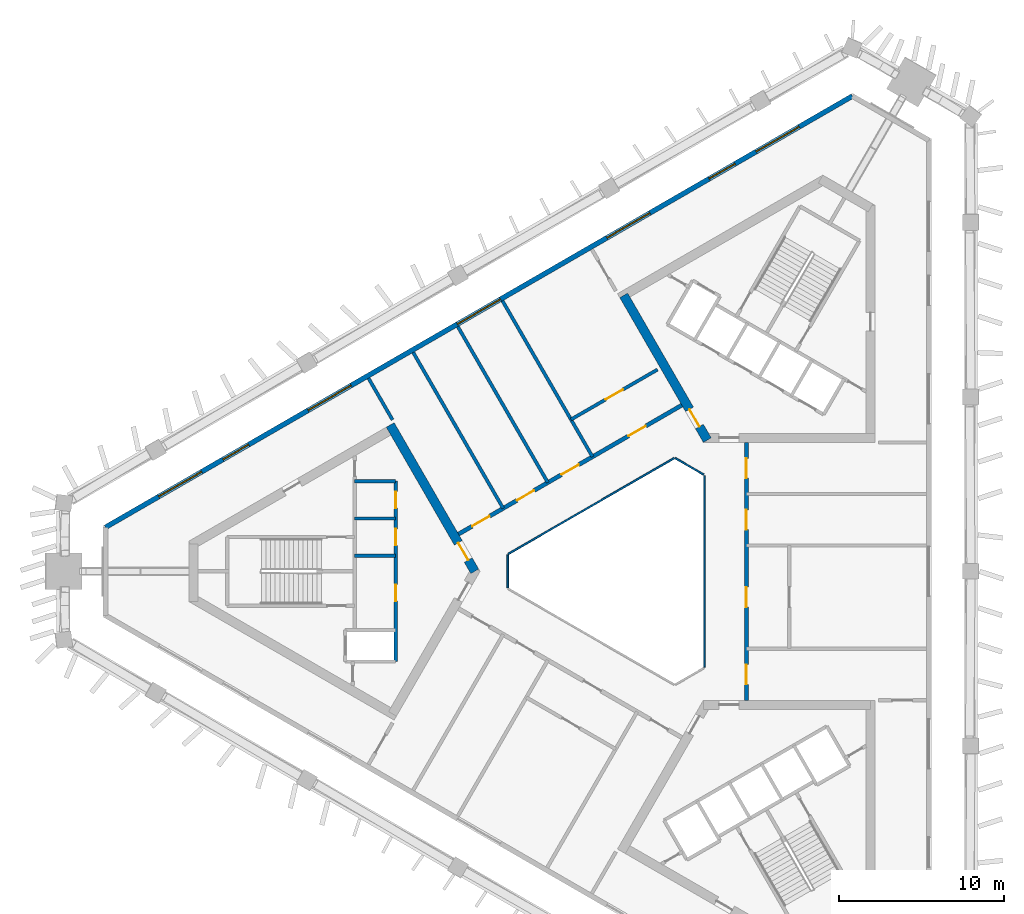
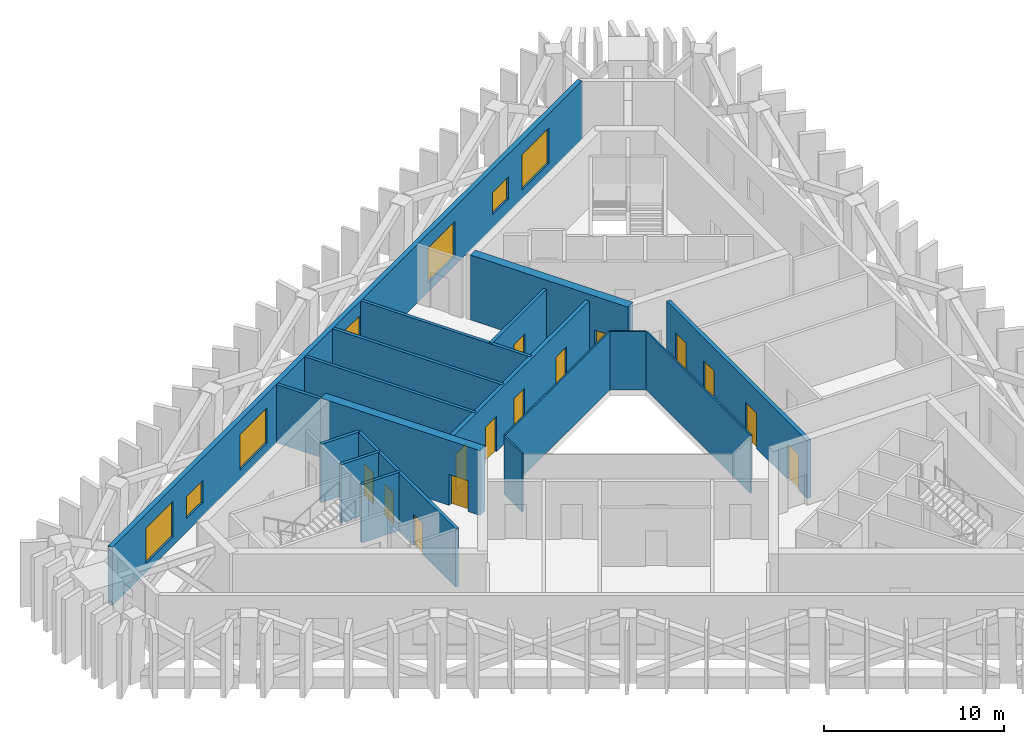
# One storey, part 5 of 9: 18 walls, 14 doors, 7 windows, 21 openings.
"""IFC4 building model written with IfcOpenShell, lengths in metres."""

from ifc_helpers import new_model, si_unit, direction, frame, frame_2d, origin, place, context, subcontext, project, spatial, rectangle, extrude, material, layer, layer_set, type_object, element, fill, save


model = new_model("IFC4")

# Units and contexts
model_context = context("Model", 3, precision=1e-05, world=origin(), true_north=direction((0.0, 1.0)))
body_context = subcontext(model_context, "Body", "Model", "MODEL_VIEW")
ifc_project = project(units=[si_unit("LENGTHUNIT", "METRE"), si_unit("AREAUNIT", "SQUARE_METRE"), si_unit("VOLUMEUNIT", "CUBIC_METRE"), si_unit("PLANEANGLEUNIT", "RADIAN"), si_unit("MASSUNIT", "GRAM", prefix="KILO")], contexts=[model_context])

# Site, building, storey
site_placement = place(None, origin())
site = spatial("IfcSite", under=ifc_project, at=site_placement, CompositionType="ELEMENT")
building_placement = place(site_placement, origin())
building = spatial("IfcBuilding", under=site, at=building_placement, Name="Jabali Bay Hotel Tower and Convention Centre", CompositionType="ELEMENT")
storey_placement = place(building_placement, frame((0.0, 0.0, 197.0)))
storey = spatial("IfcBuildingStorey", under=building, at=storey_placement, Name="L48", CompositionType="ELEMENT", Elevation=197.0)

# Walls
ifc_material_1 = material(Name="Fire-resistant glazing", Category="glass")
ifc_layer_1 = layer(ifc_material_1, 0.10009765625)
ifc_layer_set_1 = layer_set([ifc_layer_1], Name="Fire-resistant glazing")
wall_type_1 = type_object("IfcWallType", Name="Atrium glazed screen 100", PredefinedType="PARTITIONING", material=ifc_layer_set_1)
wall_1_placement = place(storey_placement, frame((79.56005859375, 74.205810546875, 0.0), z_axis=(0.0, 0.0, 1.0), x_axis=(0.0, 1.0, 0.0)))
element("IfcWall", 1, at=wall_1_placement, inside=storey, type_object=wall_type_1, Name="Atrium screen 1 L48", PredefinedType="PARTITIONING", context=body_context, shape_type="SweptSolid", body=[
    extrude(rectangle(XDim=11.58837890625, YDim=0.10009765625, at=frame_2d((5.794189453125, 0.0))), origin(), (0.0, 0.0, 1.0), 3.949951171875),
])
wall_2_placement = place(storey_placement, frame((79.530029296875, 85.84619140625, 0.0), z_axis=(0.0, 0.0, 1.0), x_axis=(-0.866041268327, 0.499972520799, 0.0)))
element("IfcWall", 2, at=wall_2_placement, inside=storey, type_object=wall_type_1, Name="Atrium screen 2 L48", PredefinedType="PARTITIONING", context=body_context, shape_type="SweptSolid", body=[
    extrude(rectangle(XDim=2.0, YDim=0.10009765625, at=frame_2d((1.0, 0.0))), origin(), (0.0, 0.0, 1.0), 3.949951171875),
])
wall_3_placement = place(storey_placement, frame((77.738037109375, 86.84619140625, 0.0), z_axis=(0.0, 0.0, 1.0), x_axis=(-0.866026658274, -0.499997827154, 0.0)))
element("IfcWall", 3, at=wall_3_placement, inside=storey, type_object=wall_type_1, Name="Atrium screen 3 L48", PredefinedType="PARTITIONING", context=body_context, shape_type="SweptSolid", body=[
    extrude(rectangle(XDim=11.58837890625, YDim=0.10009765625, at=frame_2d((5.794189453125, 0.0))), origin(), (0.0, 0.0, 1.0), 3.949951171875),
])
wall_4_placement = place(storey_placement, frame((67.672119140625, 81.0, 0.0), z_axis=(0.0, 0.0, 1.0), x_axis=(0.0, -1.0, 0.0)))
element("IfcWall", 4, at=wall_4_placement, inside=storey, type_object=wall_type_1, Name="Atrium screen 4 L48", PredefinedType="PARTITIONING", context=body_context, shape_type="SweptSolid", body=[
    extrude(rectangle(XDim=2.0, YDim=0.10009765625, at=frame_2d((1.0, 0.0))), origin(), (0.0, 0.0, 1.0), 3.949951171875),
])
ifc_material_2 = material(Name="Concrete C40", Category="concrete")
ifc_layer_2 = layer(ifc_material_2, 0.199951171875)
ifc_layer_set_2 = layer_set([ifc_layer_2], Name="Concrete C40")
wall_type_2 = type_object("IfcWallType", Name="Core stair wall 200", PredefinedType="SOLIDWALL", material=ifc_layer_set_2)
for number, where, z_axis, x_axis, name in (
    (5, (60.89990234375, 85.449951171875, 0.0), (0.0, 0.0, 1.0), (-1.0, 0.0, 0.0), "Core wall 0.0 L48"),
    (6, (60.89990234375, 83.199951171875, 0.0), (0.0, 0.0, 1.0), (-1.0, 0.0, 0.0), "Core wall 0.1 L48"),
    (7, (60.89990234375, 80.949951171875, 0.0), (0.0, 0.0, 1.0), (-1.0, 0.0, 0.0), "Core wall 0.3 L48"),
):
    element("IfcWall", number, at=place(storey_placement, frame(where, z_axis=z_axis, x_axis=x_axis)), inside=storey, type_object=wall_type_2, Name=name, PredefinedType="SOLIDWALL", context=body_context, shape_type="SweptSolid", body=[
        extrude(rectangle(XDim=2.47998046875, YDim=0.199951171875, at=frame_2d((1.239990234375, 0.0))), origin(), (0.0, 0.0, 1.0), 3.949951171875),
    ])

# Wall, openings, doors
wall_5_placement = place(storey_placement, frame((60.89990234375, 85.449951171875, 0.0), z_axis=(0.0, 0.0, 1.0), x_axis=(0.0, -1.0, 0.0)))
wall_5 = element("IfcWall", 8, at=wall_5_placement, inside=storey, type_object=wall_type_2, Name="Core wall 0.9 L48", PredefinedType="SOLIDWALL", context=body_context, shape_type="SweptSolid", body=[
    extrude(rectangle(XDim=10.89990234375, YDim=0.199951171875, at=frame_2d((5.449951171875, 0.0))), origin(), (0.0, 0.0, 1.0), 3.949951171875),
])
opening_1_placement = place(wall_5_placement, frame((0.625, 0.0, 0.0)))
opening_1 = element("IfcOpeningElement", 9, at=opening_1_placement, cuts=wall_5, Name="Opening D1030", PredefinedType="OPENING", context=body_context, shape_type="SweptSolid", body=[
    extrude(rectangle(XDim=1.0, YDim=2.10009765625, at=frame_2d((0.5, 1.050048828125))), frame((0.0, 0.1103515625, 0.0), z_axis=(0.0, -1.0, 0.0), x_axis=(1.0, 0.0, 0.0)), (0.0, 0.0, 1.0), 0.220947265625),
])
opening_2_placement = place(wall_5_placement, frame((2.875, 0.0, 0.0)))
opening_2 = element("IfcOpeningElement", 10, at=opening_2_placement, cuts=wall_5, Name="Opening D1031", PredefinedType="OPENING", context=body_context, shape_type="SweptSolid", body=[
    extrude(rectangle(XDim=1.0, YDim=2.10009765625, at=frame_2d((0.5, 1.050048828125))), frame((0.0, 0.1103515625, 0.0), z_axis=(0.0, -1.0, 0.0), x_axis=(1.0, 0.0, 0.0)), (0.0, 0.0, 1.0), 0.220947265625),
])
opening_3_placement = place(wall_5_placement, frame((6.25, 0.0, 0.0)))
opening_3 = element("IfcOpeningElement", 11, at=opening_3_placement, cuts=wall_5, Name="Opening D1032", PredefinedType="OPENING", context=body_context, shape_type="SweptSolid", body=[
    extrude(rectangle(XDim=1.0, YDim=2.10009765625, at=frame_2d((0.5, 1.050048828125))), frame((0.0, 0.1103515625, 0.0), z_axis=(0.0, -1.0, 0.0), x_axis=(1.0, 0.0, 0.0)), (0.0, 0.0, 1.0), 0.220947265625),
])
ifc_material_3 = material(Name="Fire-rated steel door", Category="steel")
door_type_1 = type_object("IfcDoorType", Name="Core room door 1000 x 2100", OperationType="NOTDEFINED", PredefinedType="NOTDEFINED", material=ifc_material_3)
door_1_placement = place(opening_1_placement, origin())
door_1 = element("IfcDoor", 12, at=door_1_placement, inside=storey, type_object=door_type_1, Name="Core room door D1030", OperationType="SINGLE_SWING_RIGHT", OverallHeight=2.10009765625, OverallWidth=1.0, PredefinedType="NOTDEFINED", context=body_context, shape_type="SweptSolid", body=[
    extrude(rectangle(XDim=1.0, YDim=2.10009765625, at=frame_2d((0.5, 1.050048828125))), frame((0.0, 0.02490234375, 0.0), z_axis=(0.0, -1.0, 0.0), x_axis=(1.0, 0.0, 0.0)), (0.0, 0.0, 1.0), 0.050048828125),
])
fill(opening_1, door_1)
door_2_placement = place(opening_2_placement, origin())
door_2 = element("IfcDoor", 13, at=door_2_placement, inside=storey, type_object=door_type_1, Name="Core room door D1031", OperationType="SINGLE_SWING_RIGHT", OverallHeight=2.10009765625, OverallWidth=1.0, PredefinedType="NOTDEFINED", context=body_context, shape_type="SweptSolid", body=[
    extrude(rectangle(XDim=1.0, YDim=2.10009765625, at=frame_2d((0.5, 1.050048828125))), frame((0.0, 0.02490234375, 0.0), z_axis=(0.0, -1.0, 0.0), x_axis=(1.0, 0.0, 0.0)), (0.0, 0.0, 1.0), 0.050048828125),
])
fill(opening_2, door_2)
door_3_placement = place(opening_3_placement, origin())
door_3 = element("IfcDoor", 14, at=door_3_placement, inside=storey, type_object=door_type_1, Name="Core room door D1032", OperationType="SINGLE_SWING_RIGHT", OverallHeight=2.10009765625, OverallWidth=1.0, PredefinedType="NOTDEFINED", context=body_context, shape_type="SweptSolid", body=[
    extrude(rectangle(XDim=1.0, YDim=2.10009765625, at=frame_2d((0.5, 1.050048828125))), frame((0.0, 0.02490234375, 0.0), z_axis=(0.0, -1.0, 0.0), x_axis=(1.0, 0.0, 0.0)), (0.0, 0.0, 1.0), 0.050048828125),
])
fill(opening_3, door_3)

# Wall, opening, door
ifc_material_4 = material(Name="Concrete C60", Category="concrete")
ifc_layer_3 = layer(ifc_material_4, 0.550048828125)
ifc_layer_set_3 = layer_set([ifc_layer_3], Name="Concrete C60")
wall_type_3 = type_object("IfcWallType", Name="Core wall 550", PredefinedType="SHEAR", material=ifc_layer_set_3)
wall_6_placement = place(storey_placement, frame((65.682373046875, 80.0, 0.0), z_axis=(0.0, 0.0, 1.0), x_axis=(-0.500000202252, 0.866025287014, 0.0)))
wall_6 = element("IfcWall", 15, at=wall_6_placement, inside=storey, type_object=wall_type_3, Name="Core wall 1.1 L48", PredefinedType="SHEAR", context=body_context, shape_type="SweptSolid", body=[
    extrude(rectangle(XDim=10.22119140625, YDim=0.550048828125, at=frame_2d((5.110595703125, 0.0))), origin(), (0.0, 0.0, 1.0), 4.39990234375),
])
opening_4_placement = place(wall_6_placement, frame((0.791259765625, 0.0, 0.0)))
opening_4 = element("IfcOpeningElement", 16, at=opening_4_placement, cuts=wall_6, Name="Opening D1028", PredefinedType="OPENING", context=body_context, shape_type="SweptSolid", body=[
    extrude(rectangle(XDim=1.199951171875, YDim=2.10009765625, at=frame_2d((0.60009765625, 1.050048828125))), frame((0.0, 0.28564453125, 0.0), z_axis=(0.0, -1.0, 0.0), x_axis=(1.0, 0.0, 0.0)), (0.0, 0.0, 1.0), 0.571044921875),
])
door_type_2 = type_object("IfcDoorType", Name="Corridor end fire door 1200 x 2100", OperationType="NOTDEFINED", PredefinedType="NOTDEFINED", material=ifc_material_3)
door_4_placement = place(opening_4_placement, origin())
door_4 = element("IfcDoor", 17, at=door_4_placement, inside=storey, type_object=door_type_2, Name="Corridor end fire door D1028", OperationType="SINGLE_SWING_RIGHT", OverallHeight=2.10009765625, OverallWidth=1.199951171875, PredefinedType="NOTDEFINED", context=body_context, shape_type="SweptSolid", body=[
    extrude(rectangle(XDim=1.199951171875, YDim=2.10009765625, at=frame_2d((0.60009765625, 1.050048828125))), frame((0.0, 0.02490234375, 0.0), z_axis=(0.0, -1.0, 0.0), x_axis=(1.0, 0.0, 0.0)), (0.0, 0.0, 1.0), 0.050048828125),
])
fill(opening_4, door_4)

wall_7_placement = place(storey_placement, frame((74.685546875, 96.682861328125, 0.0), z_axis=(0.0, 0.0, 1.0), x_axis=(0.499997818338, -0.866026663364, 0.0)))
wall_7 = element("IfcWall", 18, at=wall_7_placement, inside=storey, type_object=wall_type_3, Name="Core wall 2.5 L48", PredefinedType="SHEAR", context=body_context, shape_type="SweptSolid", body=[
    extrude(rectangle(XDim=10.10498046875, YDim=0.550048828125, at=frame_2d((5.052490234375, 0.0))), origin(), (0.0, 0.0, 1.0), 4.39990234375),
])
opening_5_placement = place(wall_7_placement, frame((7.955078125, 0.0, 0.0)))
opening_5 = element("IfcOpeningElement", 19, at=opening_5_placement, cuts=wall_7, Name="Opening D1039", PredefinedType="OPENING", context=body_context, shape_type="SweptSolid", body=[
    extrude(rectangle(XDim=1.199951171875, YDim=2.10009765625, at=frame_2d((0.60009765625, 1.050048828125))), frame((0.0, 0.28564453125, 0.0), z_axis=(0.0, -1.0, 0.0), x_axis=(1.0, 0.0, 0.0)), (0.0, 0.0, 1.0), 0.571044921875),
])
door_5_placement = place(opening_5_placement, origin())
door_5 = element("IfcDoor", 20, at=door_5_placement, inside=storey, type_object=door_type_2, Name="Corridor end fire door D1039", OperationType="SINGLE_SWING_LEFT", OverallHeight=2.10009765625, OverallWidth=1.199951171875, PredefinedType="NOTDEFINED", context=body_context, shape_type="SweptSolid", body=[
    extrude(rectangle(XDim=1.199951171875, YDim=2.10009765625, at=frame_2d((0.60009765625, 1.050048828125))), frame((0.0, 0.02490234375, 0.0), z_axis=(0.0, -1.0, 0.0), x_axis=(1.0, 0.0, 0.0)), (0.0, 0.0, 1.0), 0.050048828125),
])
fill(opening_5, door_5)

# Wall, openings, doors
ifc_layer_4 = layer(ifc_material_4, 0.25)
ifc_layer_set_4 = layer_set([ifc_layer_4], Name="Concrete C60")
wall_type_4 = type_object("IfcWallType", Name="Corridor wall 250", PredefinedType="SHEAR", material=ifc_layer_set_4)
wall_8_placement = place(storey_placement, frame((82.10009765625, 72.205810546875, 0.0), z_axis=(0.0, 0.0, 1.0), x_axis=(0.0, 1.0, 0.0)))
wall_8 = element("IfcWall", 21, at=wall_8_placement, inside=storey, type_object=wall_type_4, Name="Corridor wall 1 L48", PredefinedType="SHEAR", context=body_context, shape_type="SweptSolid", body=[
    extrude(rectangle(XDim=15.58837890625, YDim=0.25, at=frame_2d((7.794189453125, 0.0))), origin(), (0.0, 0.0, 1.0), 3.949951171875),
])
opening_6_placement = place(wall_8_placement, frame((0.958740234375, 0.0, 0.0)))
opening_6 = element("IfcOpeningElement", 22, at=opening_6_placement, cuts=wall_8, Name="Opening 4801", PredefinedType="OPENING", context=body_context, shape_type="SweptSolid", body=[
    extrude(rectangle(XDim=1.199951171875, YDim=2.39990234375, at=frame_2d((0.60009765625, 1.199951171875))), frame((0.0, 0.135498046875, 0.0), z_axis=(0.0, -1.0, 0.0), x_axis=(1.0, 0.0, 0.0)), (0.0, 0.0, 1.0), 0.27099609375),
])
opening_7_placement = place(wall_8_placement, frame((5.635498046875, 0.0, 0.0)))
opening_7 = element("IfcOpeningElement", 23, at=opening_7_placement, cuts=wall_8, Name="Opening 4802", PredefinedType="OPENING", context=body_context, shape_type="SweptSolid", body=[
    extrude(rectangle(XDim=1.199951171875, YDim=2.39990234375, at=frame_2d((0.60009765625, 1.199951171875))), frame((0.0, 0.135498046875, 0.0), z_axis=(0.0, -1.0, 0.0), x_axis=(1.0, 0.0, 0.0)), (0.0, 0.0, 1.0), 0.27099609375),
])
opening_8_placement = place(wall_8_placement, frame((10.31201171875, 0.0, 0.0)))
opening_8 = element("IfcOpeningElement", 24, at=opening_8_placement, cuts=wall_8, Name="Opening 4804", PredefinedType="OPENING", context=body_context, shape_type="SweptSolid", body=[
    extrude(rectangle(XDim=1.199951171875, YDim=2.39990234375, at=frame_2d((0.60009765625, 1.199951171875))), frame((0.0, 0.135498046875, 0.0), z_axis=(0.0, -1.0, 0.0), x_axis=(1.0, 0.0, 0.0)), (0.0, 0.0, 1.0), 0.27099609375),
])
opening_9_placement = place(wall_8_placement, frame((13.4296875, 0.0, 0.0)))
opening_9 = element("IfcOpeningElement", 25, at=opening_9_placement, cuts=wall_8, Name="Opening 4805", PredefinedType="OPENING", context=body_context, shape_type="SweptSolid", body=[
    extrude(rectangle(XDim=1.199951171875, YDim=2.39990234375, at=frame_2d((0.60009765625, 1.199951171875))), frame((0.0, 0.135498046875, 0.0), z_axis=(0.0, -1.0, 0.0), x_axis=(1.0, 0.0, 0.0)), (0.0, 0.0, 1.0), 0.27099609375),
])
ifc_material_5 = material(Name="Steel Q355B", Category="steel")
door_type_3 = type_object("IfcDoorType", Name="Plant room door 1200 x 2400", OperationType="NOTDEFINED", PredefinedType="NOTDEFINED", material=ifc_material_5)
door_6_placement = place(opening_6_placement, origin())
door_6 = element("IfcDoor", 26, at=door_6_placement, inside=storey, type_object=door_type_3, Name="Door 4801", OperationType="SINGLE_SWING_LEFT", OverallHeight=2.39990234375, OverallWidth=1.199951171875, PredefinedType="NOTDEFINED", context=body_context, shape_type="SweptSolid", body=[
    extrude(rectangle(XDim=1.199951171875, YDim=2.39990234375, at=frame_2d((0.60009765625, 1.199951171875))), frame((0.0, 0.02490234375, 0.0), z_axis=(0.0, -1.0, 0.0), x_axis=(1.0, 0.0, 0.0)), (0.0, 0.0, 1.0), 0.050048828125),
])
fill(opening_6, door_6)
door_7_placement = place(opening_8_placement, origin())
door_7 = element("IfcDoor", 27, at=door_7_placement, inside=storey, type_object=door_type_3, Name="Door 4804", OperationType="SINGLE_SWING_RIGHT", OverallHeight=2.39990234375, OverallWidth=1.199951171875, PredefinedType="NOTDEFINED", context=body_context, shape_type="SweptSolid", body=[
    extrude(rectangle(XDim=1.199951171875, YDim=2.39990234375, at=frame_2d((0.60009765625, 1.199951171875))), frame((0.0, 0.02490234375, 0.0), z_axis=(0.0, -1.0, 0.0), x_axis=(1.0, 0.0, 0.0)), (0.0, 0.0, 1.0), 0.050048828125),
])
fill(opening_8, door_7)
door_8_placement = place(opening_9_placement, origin())
door_8 = element("IfcDoor", 28, at=door_8_placement, inside=storey, type_object=door_type_3, Name="Door 4805", OperationType="SINGLE_SWING_RIGHT", OverallHeight=2.39990234375, OverallWidth=1.199951171875, PredefinedType="NOTDEFINED", context=body_context, shape_type="SweptSolid", body=[
    extrude(rectangle(XDim=1.199951171875, YDim=2.39990234375, at=frame_2d((0.60009765625, 1.199951171875))), frame((0.0, 0.02490234375, 0.0), z_axis=(0.0, -1.0, 0.0), x_axis=(1.0, 0.0, 0.0)), (0.0, 0.0, 1.0), 0.050048828125),
])
fill(opening_9, door_8)
door_type_4 = type_object("IfcDoorType", Name="Refuge hall door 1200 x 2400", OperationType="NOTDEFINED", PredefinedType="NOTDEFINED", material=ifc_material_5)
door_9_placement = place(opening_7_placement, origin())
door_9 = element("IfcDoor", 29, at=door_9_placement, inside=storey, type_object=door_type_4, Name="Door 4802", OperationType="SINGLE_SWING_LEFT", OverallHeight=2.39990234375, OverallWidth=1.199951171875, PredefinedType="NOTDEFINED", context=body_context, shape_type="SweptSolid", body=[
    extrude(rectangle(XDim=1.199951171875, YDim=2.39990234375, at=frame_2d((0.60009765625, 1.199951171875))), frame((0.0, 0.02490234375, 0.0), z_axis=(0.0, -1.0, 0.0), x_axis=(1.0, 0.0, 0.0)), (0.0, 0.0, 1.0), 0.050048828125),
])
fill(opening_7, door_9)

wall_9_placement = place(storey_placement, frame((78.199951171875, 90.0458984375, 0.0), z_axis=(0.0, 0.0, 1.0), x_axis=(-0.866026492143, -0.499998114903, 0.0)))
wall_9 = element("IfcWall", 30, at=wall_9_placement, inside=storey, type_object=wall_type_4, Name="Corridor wall 2 L48", PredefinedType="SHEAR", context=body_context, shape_type="SweptSolid", body=[
    extrude(rectangle(XDim=15.58837890625, YDim=0.25, at=frame_2d((7.794189453125, 0.0))), origin(), (0.0, 0.0, 1.0), 3.949951171875),
])
opening_10_placement = place(wall_9_placement, frame((2.517578125, 0.0, 0.0)))
opening_10 = element("IfcOpeningElement", 31, at=opening_10_placement, cuts=wall_9, Name="Opening 4806", PredefinedType="OPENING", context=body_context, shape_type="SweptSolid", body=[
    extrude(rectangle(XDim=1.199951171875, YDim=2.39990234375, at=frame_2d((0.60009765625, 1.199951171875))), frame((0.0, 0.135498046875, 0.0), z_axis=(0.0, -1.0, 0.0), x_axis=(1.0, 0.0, 0.0)), (0.0, 0.0, 1.0), 0.27099609375),
])
opening_11_placement = place(wall_9_placement, frame((7.194091796875, 0.0, 0.0)))
opening_11 = element("IfcOpeningElement", 32, at=opening_11_placement, cuts=wall_9, Name="Opening 4808", PredefinedType="OPENING", context=body_context, shape_type="SweptSolid", body=[
    extrude(rectangle(XDim=1.199951171875, YDim=2.39990234375, at=frame_2d((0.60009765625, 1.199951171875))), frame((0.0, 0.135498046875, 0.0), z_axis=(0.0, -1.0, 0.0), x_axis=(1.0, 0.0, 0.0)), (0.0, 0.0, 1.0), 0.27099609375),
])
opening_12_placement = place(wall_9_placement, frame((10.31201171875, 0.0, 0.0)))
opening_12 = element("IfcOpeningElement", 33, at=opening_12_placement, cuts=wall_9, Name="Opening 4809", PredefinedType="OPENING", context=body_context, shape_type="SweptSolid", body=[
    extrude(rectangle(XDim=1.199951171875, YDim=2.39990234375, at=frame_2d((0.60009765625, 1.199951171875))), frame((0.0, 0.135498046875, 0.0), z_axis=(0.0, -1.0, 0.0), x_axis=(1.0, 0.0, 0.0)), (0.0, 0.0, 1.0), 0.27099609375),
])
opening_13_placement = place(wall_9_placement, frame((13.4296875, 0.0, 0.0)))
opening_13 = element("IfcOpeningElement", 34, at=opening_13_placement, cuts=wall_9, Name="Opening 4810", PredefinedType="OPENING", context=body_context, shape_type="SweptSolid", body=[
    extrude(rectangle(XDim=1.199951171875, YDim=2.39990234375, at=frame_2d((0.60009765625, 1.199951171875))), frame((0.0, 0.135498046875, 0.0), z_axis=(0.0, -1.0, 0.0), x_axis=(1.0, 0.0, 0.0)), (0.0, 0.0, 1.0), 0.27099609375),
])
door_10_placement = place(opening_11_placement, origin())
door_10 = element("IfcDoor", 35, at=door_10_placement, inside=storey, type_object=door_type_3, Name="Door 4808", OperationType="SINGLE_SWING_RIGHT", OverallHeight=2.39990234375, OverallWidth=1.199951171875, PredefinedType="NOTDEFINED", context=body_context, shape_type="SweptSolid", body=[
    extrude(rectangle(XDim=1.199951171875, YDim=2.39990234375, at=frame_2d((0.60009765625, 1.199951171875))), frame((0.0, 0.02490234375, 0.0), z_axis=(0.0, -1.0, 0.0), x_axis=(1.0, 0.0, 0.0)), (0.0, 0.0, 1.0), 0.050048828125),
])
fill(opening_11, door_10)
door_11_placement = place(opening_12_placement, origin())
door_11 = element("IfcDoor", 36, at=door_11_placement, inside=storey, type_object=door_type_3, Name="Door 4809", OperationType="SINGLE_SWING_RIGHT", OverallHeight=2.39990234375, OverallWidth=1.199951171875, PredefinedType="NOTDEFINED", context=body_context, shape_type="SweptSolid", body=[
    extrude(rectangle(XDim=1.199951171875, YDim=2.39990234375, at=frame_2d((0.60009765625, 1.199951171875))), frame((0.0, 0.02490234375, 0.0), z_axis=(0.0, -1.0, 0.0), x_axis=(1.0, 0.0, 0.0)), (0.0, 0.0, 1.0), 0.050048828125),
])
fill(opening_12, door_11)
door_12_placement = place(opening_13_placement, origin())
door_12 = element("IfcDoor", 37, at=door_12_placement, inside=storey, type_object=door_type_3, Name="Door 4810", OperationType="SINGLE_SWING_RIGHT", OverallHeight=2.39990234375, OverallWidth=1.199951171875, PredefinedType="NOTDEFINED", context=body_context, shape_type="SweptSolid", body=[
    extrude(rectangle(XDim=1.199951171875, YDim=2.39990234375, at=frame_2d((0.60009765625, 1.199951171875))), frame((0.0, 0.02490234375, 0.0), z_axis=(0.0, -1.0, 0.0), x_axis=(1.0, 0.0, 0.0)), (0.0, 0.0, 1.0), 0.050048828125),
])
fill(opening_13, door_12)
door_13_placement = place(opening_10_placement, origin())
door_13 = element("IfcDoor", 38, at=door_13_placement, inside=storey, type_object=door_type_4, Name="Door 4806", OperationType="SINGLE_SWING_LEFT", OverallHeight=2.39990234375, OverallWidth=1.199951171875, PredefinedType="NOTDEFINED", context=body_context, shape_type="SweptSolid", body=[
    extrude(rectangle(XDim=1.199951171875, YDim=2.39990234375, at=frame_2d((0.60009765625, 1.199951171875))), frame((0.0, 0.02490234375, 0.0), z_axis=(0.0, -1.0, 0.0), x_axis=(1.0, 0.0, 0.0)), (0.0, 0.0, 1.0), 0.050048828125),
])
fill(opening_10, door_13)

# Wall, openings, windows
ifc_layer_5 = layer(ifc_material_2, 0.300048828125)
ifc_layer_set_5 = layer_set([ifc_layer_5], Name="Concrete C40")
wall_type_5 = type_object("IfcWallType", Name="External wall 300", PredefinedType="SOLIDWALL", material=ifc_layer_set_5)
wall_10_placement = place(storey_placement, frame((43.362060546875, 82.666748046875, 0.0), z_axis=(0.0, 0.0, 1.0), x_axis=(0.866025243948, 0.500000276845, 0.0)))
wall_10 = element("IfcWall", 39, at=wall_10_placement, inside=storey, type_object=wall_type_5, Name="External wall north-west face L48", PredefinedType="SOLIDWALL", context=body_context, shape_type="SweptSolid", body=[
    extrude(rectangle(XDim=52.1318359375, YDim=0.300048828125, at=frame_2d((26.06591796875, 0.0))), origin(), (0.0, 0.0, 1.0), 3.949951171875),
])
opening_14_placement = place(wall_10_placement, frame((8.192626953125, 0.0, 0.89990234375)))
opening_14 = element("IfcOpeningElement", 40, at=opening_14_placement, cuts=wall_10, Name="Opening W1", PredefinedType="OPENING", context=body_context, shape_type="SweptSolid", body=[
    extrude(rectangle(XDim=1.800048828125, YDim=1.5, at=frame_2d((0.89990234375, 0.75))), frame((0.0, 0.16064453125, 0.0), z_axis=(0.0, -1.0, 0.0), x_axis=(1.0, 0.0, 0.0)), (0.0, 0.0, 1.0), 0.321044921875),
])
opening_15_placement = place(wall_10_placement, frame((42.139404296875, 0.0, 0.89990234375)))
opening_15 = element("IfcOpeningElement", 41, at=opening_15_placement, cuts=wall_10, Name="Opening W1", PredefinedType="OPENING", context=body_context, shape_type="SweptSolid", body=[
    extrude(rectangle(XDim=1.800048828125, YDim=1.5, at=frame_2d((0.89990234375, 0.75))), frame((0.0, 0.16064453125, 0.0), z_axis=(0.0, -1.0, 0.0), x_axis=(1.0, 0.0, 0.0)), (0.0, 0.0, 1.0), 0.321044921875),
])
opening_16_placement = place(wall_10_placement, frame((3.713134765625, 0.0, 0.60009765625)))
opening_16 = element("IfcOpeningElement", 42, at=opening_16_placement, cuts=wall_10, Name="Opening W2", PredefinedType="OPENING", context=body_context, shape_type="SweptSolid", body=[
    extrude(rectangle(XDim=3.0, YDim=2.39990234375, at=frame_2d((1.5, 1.199951171875))), frame((0.0, 0.16064453125, 0.0), z_axis=(0.0, -1.0, 0.0), x_axis=(1.0, 0.0, 0.0)), (0.0, 0.0, 1.0), 0.321044921875),
])
opening_17_placement = place(wall_10_placement, frame((14.1396484375, 0.0, 0.60009765625)))
opening_17 = element("IfcOpeningElement", 43, at=opening_17_placement, cuts=wall_10, Name="Opening W2", PredefinedType="OPENING", context=body_context, shape_type="SweptSolid", body=[
    extrude(rectangle(XDim=3.0, YDim=2.39990234375, at=frame_2d((1.5, 1.199951171875))), frame((0.0, 0.16064453125, 0.0), z_axis=(0.0, -1.0, 0.0), x_axis=(1.0, 0.0, 0.0)), (0.0, 0.0, 1.0), 0.321044921875),
])
opening_18_placement = place(wall_10_placement, frame((24.56591796875, 0.0, 0.60009765625)))
opening_18 = element("IfcOpeningElement", 44, at=opening_18_placement, cuts=wall_10, Name="Opening W2", PredefinedType="OPENING", context=body_context, shape_type="SweptSolid", body=[
    extrude(rectangle(XDim=3.0, YDim=2.39990234375, at=frame_2d((1.5, 1.199951171875))), frame((0.0, 0.16064453125, 0.0), z_axis=(0.0, -1.0, 0.0), x_axis=(1.0, 0.0, 0.0)), (0.0, 0.0, 1.0), 0.321044921875),
])
opening_19_placement = place(wall_10_placement, frame((34.992431640625, 0.0, 0.60009765625)))
opening_19 = element("IfcOpeningElement", 45, at=opening_19_placement, cuts=wall_10, Name="Opening W2", PredefinedType="OPENING", context=body_context, shape_type="SweptSolid", body=[
    extrude(rectangle(XDim=3.0, YDim=2.39990234375, at=frame_2d((1.5, 1.199951171875))), frame((0.0, 0.16064453125, 0.0), z_axis=(0.0, -1.0, 0.0), x_axis=(1.0, 0.0, 0.0)), (0.0, 0.0, 1.0), 0.321044921875),
])
opening_20_placement = place(wall_10_placement, frame((45.418701171875, 0.0, 0.60009765625)))
opening_20 = element("IfcOpeningElement", 46, at=opening_20_placement, cuts=wall_10, Name="Opening W2", PredefinedType="OPENING", context=body_context, shape_type="SweptSolid", body=[
    extrude(rectangle(XDim=3.0, YDim=2.39990234375, at=frame_2d((1.5, 1.199951171875))), frame((0.0, 0.16064453125, 0.0), z_axis=(0.0, -1.0, 0.0), x_axis=(1.0, 0.0, 0.0)), (0.0, 0.0, 1.0), 0.321044921875),
])
ifc_material_6 = material(Name="Aluminium", Category="aluminium")
window_type_1 = type_object("IfcWindowType", Name="Louvred ventilation panel 3000 x 2400", PartitioningType="SINGLE_PANEL", PredefinedType="WINDOW", material=ifc_material_6)
window_1_placement = place(opening_16_placement, origin())
window_1 = element("IfcWindow", 47, at=window_1_placement, inside=storey, type_object=window_type_1, Name="Louvred panel 1", OverallHeight=2.39990234375, OverallWidth=3.0, PartitioningType="SINGLE_PANEL", PredefinedType="WINDOW", context=body_context, shape_type="SweptSolid", body=[
    extrude(rectangle(XDim=3.0, YDim=2.39990234375, at=frame_2d((1.5, 1.199951171875))), frame((0.0, 0.030029296875, 0.0), z_axis=(0.0, -1.0, 0.0), x_axis=(1.0, 0.0, 0.0)), (0.0, 0.0, 1.0), 0.06005859375),
])
fill(opening_16, window_1)
window_2_placement = place(opening_17_placement, origin())
window_2 = element("IfcWindow", 48, at=window_2_placement, inside=storey, type_object=window_type_1, Name="Louvred panel 2", OverallHeight=2.39990234375, OverallWidth=3.0, PartitioningType="SINGLE_PANEL", PredefinedType="WINDOW", context=body_context, shape_type="SweptSolid", body=[
    extrude(rectangle(XDim=3.0, YDim=2.39990234375, at=frame_2d((1.5, 1.199951171875))), frame((0.0, 0.030029296875, 0.0), z_axis=(0.0, -1.0, 0.0), x_axis=(1.0, 0.0, 0.0)), (0.0, 0.0, 1.0), 0.06005859375),
])
fill(opening_17, window_2)
window_3_placement = place(opening_18_placement, origin())
window_3 = element("IfcWindow", 49, at=window_3_placement, inside=storey, type_object=window_type_1, Name="Louvred panel 3", OverallHeight=2.39990234375, OverallWidth=3.0, PartitioningType="SINGLE_PANEL", PredefinedType="WINDOW", context=body_context, shape_type="SweptSolid", body=[
    extrude(rectangle(XDim=3.0, YDim=2.39990234375, at=frame_2d((1.5, 1.199951171875))), frame((0.0, 0.030029296875, 0.0), z_axis=(0.0, -1.0, 0.0), x_axis=(1.0, 0.0, 0.0)), (0.0, 0.0, 1.0), 0.06005859375),
])
fill(opening_18, window_3)
window_4_placement = place(opening_19_placement, origin())
window_4 = element("IfcWindow", 50, at=window_4_placement, inside=storey, type_object=window_type_1, Name="Louvred panel 4", OverallHeight=2.39990234375, OverallWidth=3.0, PartitioningType="SINGLE_PANEL", PredefinedType="WINDOW", context=body_context, shape_type="SweptSolid", body=[
    extrude(rectangle(XDim=3.0, YDim=2.39990234375, at=frame_2d((1.5, 1.199951171875))), frame((0.0, 0.030029296875, 0.0), z_axis=(0.0, -1.0, 0.0), x_axis=(1.0, 0.0, 0.0)), (0.0, 0.0, 1.0), 0.06005859375),
])
fill(opening_19, window_4)
window_5_placement = place(opening_20_placement, origin())
window_5 = element("IfcWindow", 51, at=window_5_placement, inside=storey, type_object=window_type_1, Name="Louvred panel 5", OverallHeight=2.39990234375, OverallWidth=3.0, PartitioningType="SINGLE_PANEL", PredefinedType="WINDOW", context=body_context, shape_type="SweptSolid", body=[
    extrude(rectangle(XDim=3.0, YDim=2.39990234375, at=frame_2d((1.5, 1.199951171875))), frame((0.0, 0.030029296875, 0.0), z_axis=(0.0, -1.0, 0.0), x_axis=(1.0, 0.0, 0.0)), (0.0, 0.0, 1.0), 0.06005859375),
])
fill(opening_20, window_5)
ifc_material_7 = material(Name="Glass", Category="glass")
window_type_2 = type_object("IfcWindowType", Name="Window 1800 x 1500", PartitioningType="SINGLE_PANEL", PredefinedType="WINDOW", material=ifc_material_7)
window_6_placement = place(opening_14_placement, origin())
window_6 = element("IfcWindow", 52, at=window_6_placement, inside=storey, type_object=window_type_2, Name="Window", OverallHeight=1.5, OverallWidth=1.800048828125, PartitioningType="SINGLE_PANEL", PredefinedType="WINDOW", context=body_context, shape_type="SweptSolid", body=[
    extrude(rectangle(XDim=1.800048828125, YDim=1.5, at=frame_2d((0.89990234375, 0.75))), frame((0.0, 0.030029296875, 0.0), z_axis=(0.0, -1.0, 0.0), x_axis=(1.0, 0.0, 0.0)), (0.0, 0.0, 1.0), 0.06005859375),
])
fill(opening_14, window_6)
window_7_placement = place(opening_15_placement, origin())
window_7 = element("IfcWindow", 53, at=window_7_placement, inside=storey, type_object=window_type_2, Name="Window", OverallHeight=1.5, OverallWidth=1.800048828125, PartitioningType="SINGLE_PANEL", PredefinedType="WINDOW", context=body_context, shape_type="SweptSolid", body=[
    extrude(rectangle(XDim=1.800048828125, YDim=1.5, at=frame_2d((0.89990234375, 0.75))), frame((0.0, 0.030029296875, 0.0), z_axis=(0.0, -1.0, 0.0), x_axis=(1.0, 0.0, 0.0)), (0.0, 0.0, 1.0), 0.06005859375),
])
fill(opening_15, window_7)

# Walls
ifc_material_8 = material(Name="Plasterboard on steel stud", Category="steel")
ifc_layer_6 = layer(ifc_material_8, 0.199951171875)
ifc_layer_set_6 = layer_set([ifc_layer_6], Name="Plasterboard on steel stud")
wall_type_6 = type_object("IfcWallType", Name="Partition 200 plant", PredefinedType="PARTITIONING", material=ifc_layer_set_6)
wall_11_placement = place(storey_placement, frame((64.66015625, 94.791259765625, 0.0), z_axis=(0.0, 0.0, 1.0), x_axis=(0.500015120401, -0.866016673841, 0.0)))
element("IfcWall", 54, at=wall_11_placement, inside=storey, type_object=wall_type_6, Name="Partition P04 L48 010", PredefinedType="PARTITIONING", context=body_context, shape_type="SweptSolid", body=[
    extrude(rectangle(XDim=10.879638671875, YDim=0.199951171875, at=frame_2d((5.43994140625, 0.0))), origin(), (0.0, 0.0, 1.0), 3.949951171875),
])
wall_12_placement = place(storey_placement, frame((61.960205078125, 93.232421875, 0.0), z_axis=(0.0, 0.0, 1.0), x_axis=(0.49999829022, -0.866026390924, 0.0)))
element("IfcWall", 55, at=wall_12_placement, inside=storey, type_object=wall_type_6, Name="Partition P04 L48 011", PredefinedType="PARTITIONING", context=body_context, shape_type="SweptSolid", body=[
    extrude(rectangle(XDim=10.87939453125, YDim=0.199951171875, at=frame_2d((5.439697265625, 0.0))), origin(), (0.0, 0.0, 1.0), 3.949951171875),
])
wall_13_placement = place(storey_placement, frame((60.71044921875, 89.16162109375, 0.0), z_axis=(0.0, 0.0, 1.0), x_axis=(-0.499977468037, 0.866038412228, 0.0)))
element("IfcWall", 56, at=wall_13_placement, inside=storey, type_object=wall_type_6, Name="Partition P04 L48 012", PredefinedType="PARTITIONING", context=body_context, shape_type="SweptSolid", body=[
    extrude(rectangle(XDim=2.900634765625, YDim=0.199951171875, at=frame_2d((1.4501953125, 0.0))), origin(), (0.0, 0.0, 1.0), 3.949951171875),
])

# Wall, opening, door
ifc_layer_7 = layer(ifc_material_8, 0.199951171875)
ifc_layer_set_7 = layer_set([ifc_layer_7], Name="Plasterboard on steel stud")
wall_type_7 = type_object("IfcWallType", Name="Partition 200 refuge", PredefinedType="PARTITIONING", material=ifc_layer_set_7)
wall_14_placement = place(storey_placement, frame((76.7275390625, 92.197998046875, 0.0), z_axis=(0.0, 0.0, 1.0), x_axis=(-0.866029326177, -0.499993206155, 0.0)))
wall_14 = element("IfcWall", 57, at=wall_14_placement, inside=storey, type_object=wall_type_7, Name="Partition P05 L48 007", PredefinedType="PARTITIONING", context=body_context, shape_type="SweptSolid", body=[
    extrude(rectangle(XDim=6.0361328125, YDim=0.199951171875, at=frame_2d((3.01806640625, 0.0))), origin(), (0.0, 0.0, 1.0), 3.949951171875),
])
opening_21_placement = place(wall_14_placement, frame((2.41796875, 0.0, 0.0)))
opening_21 = element("IfcOpeningElement", 58, at=opening_21_placement, cuts=wall_14, Name="Opening 4807", PredefinedType="OPENING", context=body_context, shape_type="SweptSolid", body=[
    extrude(rectangle(XDim=1.199951171875, YDim=2.39990234375, at=frame_2d((0.60009765625, 1.199951171875))), frame((0.0, 0.1103515625, 0.0), z_axis=(0.0, -1.0, 0.0), x_axis=(1.0, 0.0, 0.0)), (0.0, 0.0, 1.0), 0.220947265625),
])
door_14_placement = place(opening_21_placement, origin())
door_14 = element("IfcDoor", 59, at=door_14_placement, inside=storey, type_object=door_type_4, Name="Door 4807", OperationType="SINGLE_SWING_LEFT", OverallHeight=2.39990234375, OverallWidth=1.199951171875, PredefinedType="NOTDEFINED", context=body_context, shape_type="SweptSolid", body=[
    extrude(rectangle(XDim=1.199951171875, YDim=2.39990234375, at=frame_2d((0.60009765625, 1.199951171875))), frame((0.0, 0.02490234375, 0.0), z_axis=(0.0, -1.0, 0.0), x_axis=(1.0, 0.0, 0.0)), (0.0, 0.0, 1.0), 0.050048828125),
])
fill(opening_21, door_14)

# Wall
wall_15_placement = place(storey_placement, frame((67.3603515625, 96.35009765625, 0.0), z_axis=(0.0, 0.0, 1.0), x_axis=(0.49999829022, -0.866026390924, 0.0)))
element("IfcWall", 60, at=wall_15_placement, inside=storey, type_object=wall_type_7, Name="Partition P05 L48 008", PredefinedType="PARTITIONING", context=body_context, shape_type="SweptSolid", body=[
    extrude(rectangle(XDim=10.87939453125, YDim=0.199951171875, at=frame_2d((5.439697265625, 0.0))), origin(), (0.0, 0.0, 1.0), 3.949951171875),
])

save(model, "model.ifc")
